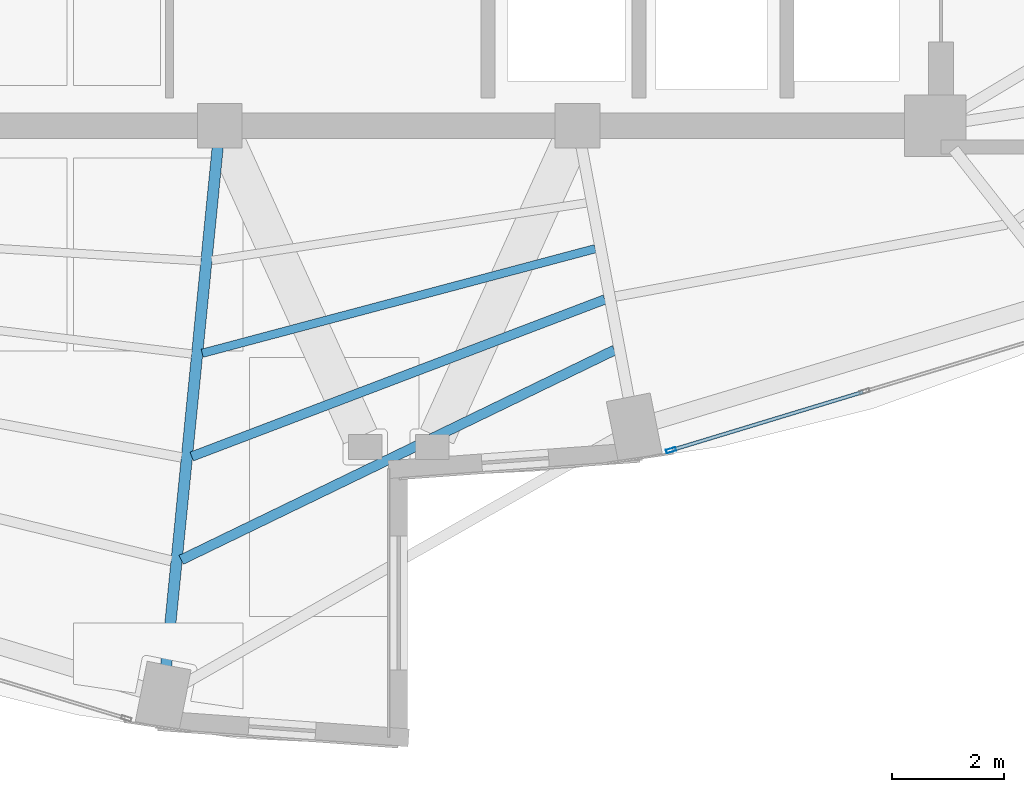
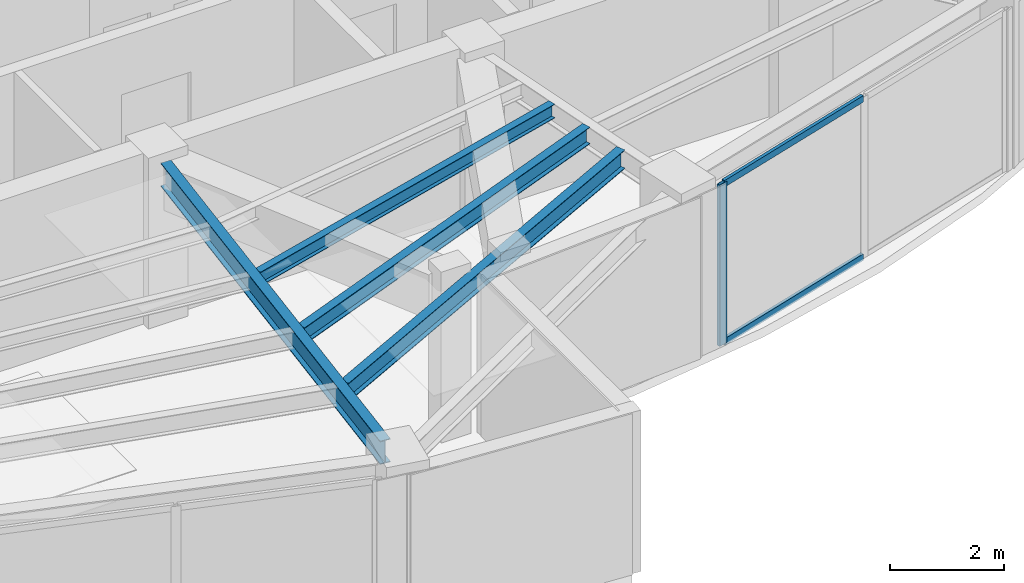
# One storey, part 6 of 22: 4 beams, 3 members, 1 element without a shape of its own.
"""IFC4 building model written with IfcOpenShell, lengths in metres."""

from ifc_helpers import new_model, si_unit, direction, frame, origin, origin_2d, place, context, subcontext, project, spatial, hollow_rectangle, i_section, extrude, material, layer, layer_set, material_profile, profile_set, type_object, element, aggregate, save


model = new_model("IFC4")

# Units and contexts
model_context = context("Model", 3, precision=1e-05, world=origin(), true_north=direction((0.0, 1.0)))
body_context = subcontext(model_context, "Body", "Model", "MODEL_VIEW")
ifc_project = project(units=[si_unit("LENGTHUNIT", "METRE"), si_unit("AREAUNIT", "SQUARE_METRE"), si_unit("VOLUMEUNIT", "CUBIC_METRE"), si_unit("PLANEANGLEUNIT", "RADIAN"), si_unit("MASSUNIT", "GRAM", prefix="KILO")], contexts=[model_context])

# Site, building, storey
site_placement = place(None, origin())
site = spatial("IfcSite", under=ifc_project, at=site_placement, CompositionType="ELEMENT")
building_placement = place(site_placement, origin())
building = spatial("IfcBuilding", under=site, at=building_placement, Name="Lazwardi Medical Tower", CompositionType="ELEMENT")
storey_placement = place(building_placement, frame((0.0, 0.0, 258.672119140625)))
storey = spatial("IfcBuildingStorey", under=building, at=storey_placement, Name="L67", CompositionType="ELEMENT", Elevation=258.672119140625)

# Beams
ifc_material_1 = material(Name="Steel S355", Category="steel")
ifc_material_profile_1 = material_profile(ifc_material_1, i_section(OverallWidth=0.199951171875, OverallDepth=0.5, WebThickness=0.01025390625, FlangeThickness=0.01611328125, at=origin_2d()), Name="IPE 500")
ifc_profile_set_1 = profile_set([ifc_material_profile_1], Name="Steel S355")
beam_type_1 = type_object("IfcBeamType", Name="BM-RG-W3", PredefinedType="BEAM", material=ifc_profile_set_1)
beam_1_placement = place(storey_placement, frame((31.8388671875, 10.734130859375, 3.197998046875), z_axis=(0.098954361922, 0.995091972763, 0.0), x_axis=(-0.995091972763, 0.098954361922, 0.0)))
element("IfcBeam", 1, at=beam_1_placement, inside=storey, type_object=beam_type_1, Name="Radial girder RG-04 R16 L67", PredefinedType="BEAM", context=body_context, shape_type="SweptSolid", body=[
    extrude(i_section(OverallWidth=0.199951171875, OverallDepth=0.5, WebThickness=0.01025390625, FlangeThickness=0.01611328125, at=origin_2d()), origin(), (0.0, 0.0, 1.0), 9.32861328125),
])
ifc_material_profile_2 = material_profile(ifc_material_1, i_section(OverallWidth=0.179931640625, OverallDepth=0.39990234375, WebThickness=0.008544921875, FlangeThickness=0.013427734375, at=origin_2d()), Name="IPE 400")
ifc_profile_set_2 = profile_set([ifc_material_profile_2], Name="Steel S355")
beam_type_2 = type_object("IfcBeamType", Name="BM-SJ-01", PredefinedType="JOIST", material=ifc_profile_set_2)
beam_2_placement = place(storey_placement, frame((32.10888671875, 12.632080078125, 3.247802734375), z_axis=(0.900068885459, 0.435747635024, 0.0), x_axis=(-0.435747635024, 0.900068885459, 0.0)))
element("IfcBeam", 2, at=beam_2_placement, inside=storey, type_object=beam_type_2, Name="Secondary joist SJ-01 R1 B16 L67", PredefinedType="JOIST", context=body_context, shape_type="SweptSolid", body=[
    extrude(i_section(OverallWidth=0.179931640625, OverallDepth=0.39990234375, WebThickness=0.008544921875, FlangeThickness=0.013427734375, at=origin_2d()), origin(), (0.0, 0.0, 1.0), 8.612548828125),
])
ifc_material_profile_3 = material_profile(ifc_material_1, i_section(OverallWidth=0.169921875, OverallDepth=0.360107421875, WebThickness=0.008056640625, FlangeThickness=0.0126953125, at=origin_2d()), Name="IPE 360")
ifc_profile_set_3 = profile_set([ifc_material_profile_3], Name="Steel S355")
beam_type_3 = type_object("IfcBeamType", Name="BM-SJ-02", PredefinedType="JOIST", material=ifc_profile_set_3)
beam_3_placement = place(storey_placement, frame((32.296875, 14.48095703125, 3.267822265625), z_axis=(0.934714470268, 0.355399576633, 0.0), x_axis=(-0.355399576633, 0.934714470268, 0.0)))
element("IfcBeam", 3, at=beam_3_placement, inside=storey, type_object=beam_type_3, Name="Secondary joist SJ-02 R2 B16 L67", PredefinedType="JOIST", context=body_context, shape_type="SweptSolid", body=[
    extrude(i_section(OverallWidth=0.169921875, OverallDepth=0.360107421875, WebThickness=0.008056640625, FlangeThickness=0.0126953125, at=origin_2d()), origin(), (0.0, 0.0, 1.0), 7.908203125),
])
ifc_material_profile_4 = material_profile(ifc_material_1, i_section(OverallWidth=0.14990234375, OverallDepth=0.300048828125, WebThickness=0.007080078125, FlangeThickness=0.0107421875, at=origin_2d()), Name="IPE 300")
ifc_profile_set_4 = profile_set([ifc_material_profile_4], Name="Steel S355")
beam_type_4 = type_object("IfcBeamType", Name="BM-SJ-03", PredefinedType="JOIST", material=ifc_profile_set_4)
beam_4_placement = place(storey_placement, frame((32.484619140625, 16.328125, 3.2978515625), z_axis=(0.966369007826, 0.257159368316, 0.0), x_axis=(-0.257159368316, 0.966369007826, 0.0)))
element("IfcBeam", 4, at=beam_4_placement, inside=storey, type_object=beam_type_4, Name="Secondary joist SJ-03 R3 B16 L67", PredefinedType="JOIST", context=body_context, shape_type="SweptSolid", body=[
    extrude(i_section(OverallWidth=0.14990234375, OverallDepth=0.300048828125, WebThickness=0.007080078125, FlangeThickness=0.0107421875, at=origin_2d()), origin(), (0.0, 0.0, 1.0), 7.27685546875),
])

# Curtain wall, members
ifc_material_2 = material(Name="Anodised bronze aluminium and solar control glazing", Category="aluminium")
ifc_layer = layer(ifc_material_2, 0.18994140625)
ifc_layer_set = layer_set([ifc_layer], Name="Anodised bronze aluminium and solar control glazing")
curtain_wall_type = type_object("IfcCurtainWallType", Name="CW-SYS-04", PredefinedType="NOTDEFINED", material=ifc_layer_set)
curtain_wall_placement = place(storey_placement, origin())
curtain_wall = element("IfcCurtainWall", 5, at=curtain_wall_placement, inside=storey, type_object=curtain_wall_type, Name="L67 Unitised bronze curtain wall CW-04", PredefinedType="NOTDEFINED")
ifc_material_3 = material(Name="Anodised bronze aluminium", Category="aluminium")
ifc_material_profile_5 = material_profile(ifc_material_3, hollow_rectangle(XDim=0.06494140625, YDim=0.179931640625, WallThickness=0.00390625, at=origin_2d()), Name="ALU-MULLION 180x65x4")
ifc_profile_set_5 = profile_set([ifc_material_profile_5], Name="Anodised bronze aluminium")
member_type_1 = type_object("IfcMemberType", Name="CW-MUL-03", PredefinedType="MULLION", material=ifc_profile_set_5)
member_1_placement = place(storey_placement, frame((40.873046875, 14.593017578125, 0.0), z_axis=(0.0, 0.0, 1.0), x_axis=(-0.290581889515, 0.956850126972, 0.0)))
member_1 = element("IfcMember", 6, at=member_1_placement, type_object=member_type_1, Name="CW-04 mullion 1", PredefinedType="MULLION", context=body_context, shape_type="SweptSolid", body=[
    extrude(hollow_rectangle(XDim=0.06494140625, YDim=0.179931640625, WallThickness=0.00390625, at=origin_2d()), origin(), (0.0, 0.0, 1.0), 3.447998046875),
])
ifc_material_profile_6 = material_profile(ifc_material_3, hollow_rectangle(XDim=0.06494140625, YDim=0.139892578125, WallThickness=0.00341796875, at=origin_2d()), Name="ALU-TRANSOM 140x65x3.5")
ifc_profile_set_6 = profile_set([ifc_material_profile_6], Name="Anodised bronze aluminium")
member_type_2 = type_object("IfcMemberType", Name="CW-TRN-03", PredefinedType="USERDEFINED", material=ifc_profile_set_6)
member_2_placement = place(storey_placement, frame((40.904296875, 14.602294921875, 0.032470703125), z_axis=(0.956843409009, 0.290604010015, 0.0), x_axis=(-0.290604010015, 0.956843409009, 0.0)))
member_2 = element("IfcMember", 7, at=member_2_placement, type_object=member_type_2, Name="CW-04 transom 1.1", ObjectType="TRANSOM", PredefinedType="USERDEFINED", context=body_context, shape_type="SweptSolid", body=[
    extrude(hollow_rectangle(XDim=0.06494140625, YDim=0.139892578125, WallThickness=0.00341796875, at=origin_2d()), origin(), (0.0, 0.0, 1.0), 3.554443359375),
])
member_3_placement = place(storey_placement, frame((40.904296875, 14.602294921875, 3.415283203125), z_axis=(0.956843409009, 0.290604010015, 0.0), x_axis=(-0.290604010015, 0.956843409009, 0.0)))
member_3 = element("IfcMember", 8, at=member_3_placement, type_object=member_type_2, Name="CW-04 transom 1.2", ObjectType="TRANSOM", PredefinedType="USERDEFINED", context=body_context, shape_type="SweptSolid", body=[
    extrude(hollow_rectangle(XDim=0.06494140625, YDim=0.139892578125, WallThickness=0.00341796875, at=origin_2d()), origin(), (0.0, 0.0, 1.0), 3.554443359375),
])
aggregate(curtain_wall, [member_1, member_2, member_3])

save(model, "model.ifc")
